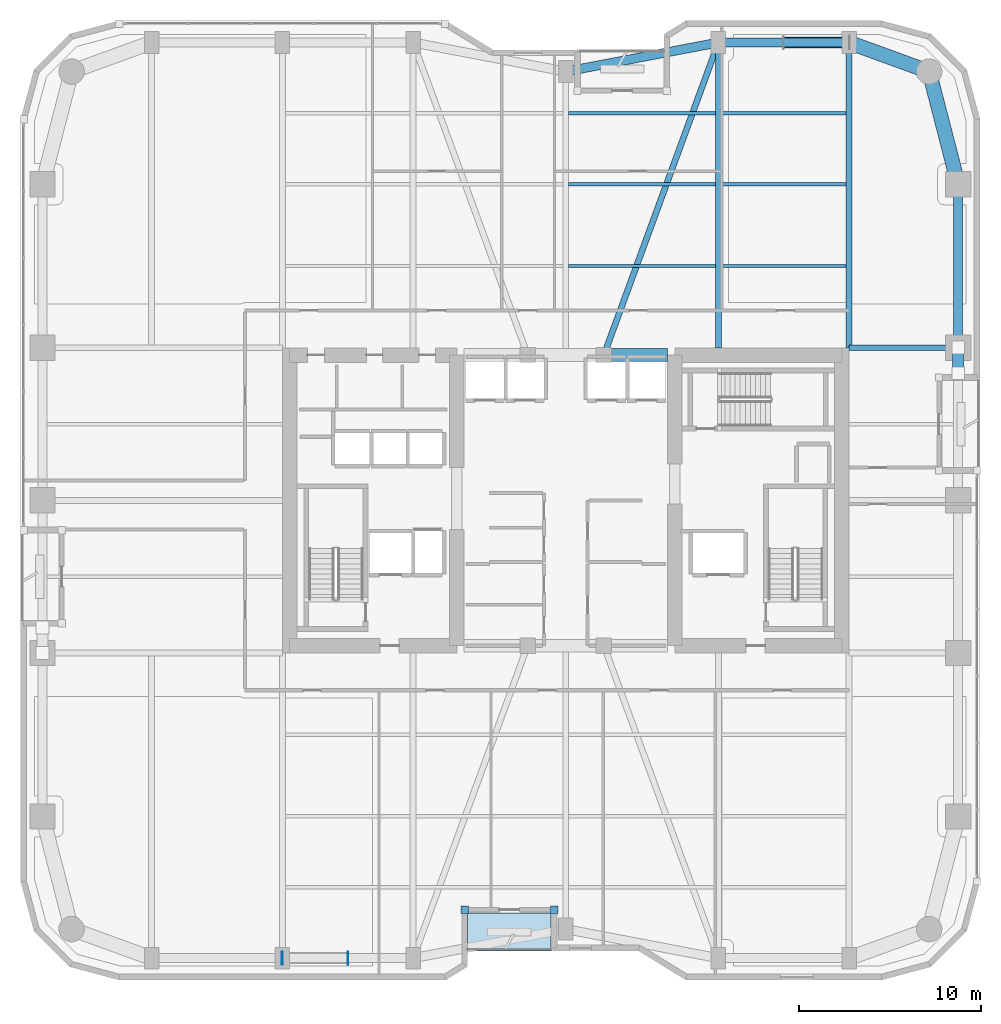
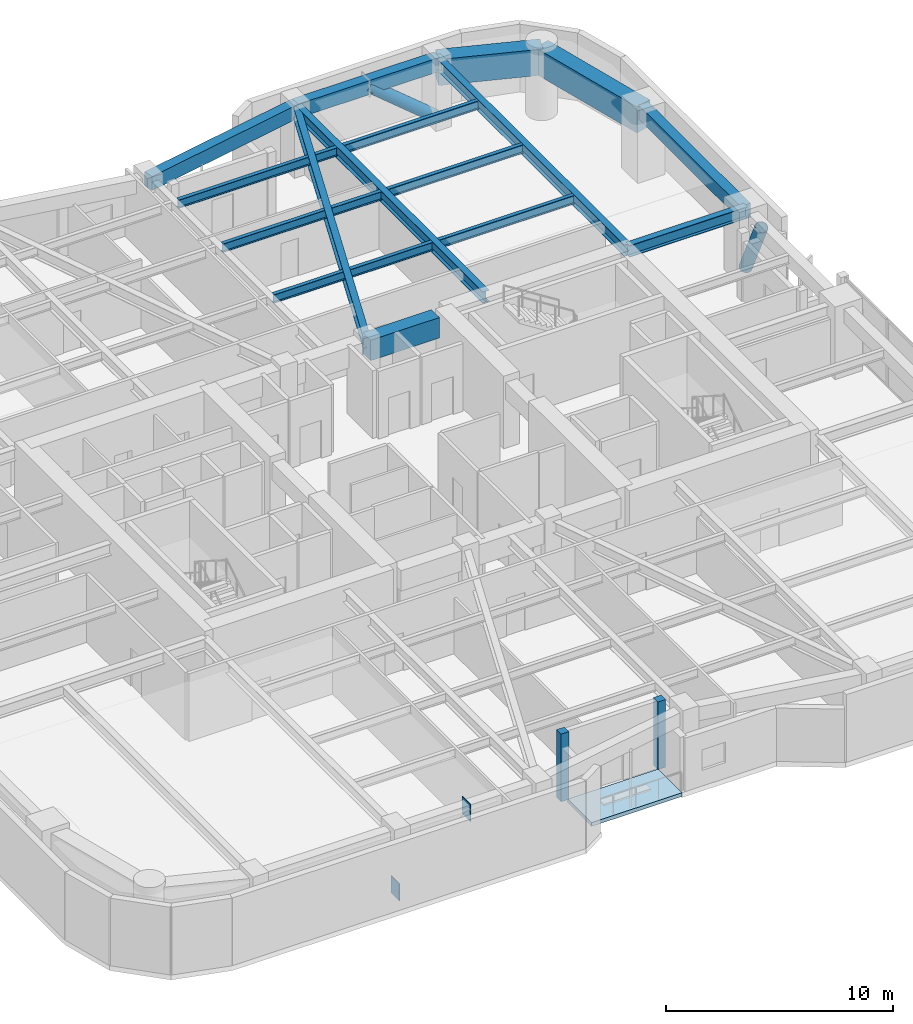
# One storey, part 15 of 24: 16 beams, 4 plates, 2 members, 1 slab.
"""IFC4 building model written with IfcOpenShell, lengths in metres."""

from ifc_helpers import new_model, si_unit, direction, frame, origin, origin_2d, place, context, subcontext, project, spatial, polyline, rectangle, hollow_circle, i_section, outline, extrude, material, layer, layer_set, material_profile, profile_set, type_object, element, save


model = new_model("IFC4")

# Units and contexts
model_context = context("Model", 3, precision=1e-05, world=origin(), true_north=direction((0.0, 1.0)))
body_context = subcontext(model_context, "Body", "Model", "MODEL_VIEW")
ifc_project = project(units=[si_unit("LENGTHUNIT", "METRE"), si_unit("AREAUNIT", "SQUARE_METRE"), si_unit("VOLUMEUNIT", "CUBIC_METRE"), si_unit("PLANEANGLEUNIT", "RADIAN"), si_unit("MASSUNIT", "GRAM", prefix="KILO")], contexts=[model_context])

# Site, building, storey
site_placement = place(None, origin())
site = spatial("IfcSite", under=ifc_project, at=site_placement, CompositionType="ELEMENT")
building_placement = place(site_placement, origin())
building = spatial("IfcBuilding", under=site, at=building_placement, Name="Kiyonajd Concourse Tower", CompositionType="ELEMENT")
storey_placement = place(building_placement, frame((0.0, 0.0, 137.699951171875)))
storey = spatial("IfcBuildingStorey", under=building, at=storey_placement, Name="L35", CompositionType="ELEMENT", Elevation=137.699951171875)

# Beams
ifc_material_1 = material(Name="Concrete C70/85", Category="concrete")
ifc_material_profile_1 = material_profile(ifc_material_1, rectangle(XDim=0.699951171875, YDim=1.10009765625, at=origin_2d()), Name="RCBM-700x1100")
ifc_profile_set_1 = profile_set([ifc_material_profile_1], Name="Concrete C70/85")
beam_type_1 = type_object("IfcBeamType", Name="BM-COUP-1100", PredefinedType="LINTEL", material=ifc_profile_set_1)
beam_1_placement = place(storey_placement, frame((50.10009765625, 44.0, 3.090087890625), z_axis=(1.0, 0.0, 0.0), x_axis=(0.0, 1.0, 0.0)))
element("IfcBeam", 1, at=beam_1_placement, inside=storey, type_object=beam_type_1, Name="L35 Core Coupling Beam N3", PredefinedType="LINTEL", context=body_context, shape_type="SweptSolid", body=[
    extrude(rectangle(XDim=0.699951171875, YDim=1.10009765625, at=origin_2d()), origin(), (0.0, 0.0, 1.0), 3.5),
])
ifc_material_2 = material(Name="Steel ASTM A992 Grade 50", Category="steel")
ifc_material_profile_2 = material_profile(ifc_material_2, i_section(OverallWidth=0.19189453125, OverallDepth=0.462890625, WebThickness=0.010498046875, FlangeThickness=0.017578125, at=origin_2d()), Name="W460X89")
ifc_profile_set_2 = profile_set([ifc_material_profile_2], Name="Steel ASTM A992 Grade 50")
beam_type_2 = type_object("IfcBeamType", Name="BM-JST-460B", PredefinedType="JOIST", material=ifc_profile_set_2)
beam_2_placement = place(storey_placement, frame((48.16357421875, 48.89990234375, 3.408447265625), z_axis=(1.0, 0.0, 0.0), x_axis=(0.0, 1.0, 0.0)))
element("IfcBeam", 2, at=beam_2_placement, inside=storey, type_object=beam_type_2, Name="L35 Secondary Floor Joist", PredefinedType="JOIST", context=body_context, shape_type="SweptSolid", body=[
    extrude(i_section(OverallWidth=0.19189453125, OverallDepth=0.462890625, WebThickness=0.010498046875, FlangeThickness=0.017578125, at=origin_2d()), origin(), (0.0, 0.0, 1.0), 8.072998046875),
])
beam_3_placement = place(storey_placement, frame((56.5634765625, 48.89990234375, 3.408447265625), z_axis=(1.0, 0.0, 0.0), x_axis=(0.0, 1.0, 0.0)))
element("IfcBeam", 3, at=beam_3_placement, inside=storey, type_object=beam_type_2, Name="L35 Secondary Floor Joist", PredefinedType="JOIST", context=body_context, shape_type="SweptSolid", body=[
    extrude(i_section(OverallWidth=0.19189453125, OverallDepth=0.462890625, WebThickness=0.010498046875, FlangeThickness=0.017578125, at=origin_2d()), origin(), (0.0, 0.0, 1.0), 6.873046875),
])
beam_4_placement = place(storey_placement, frame((48.16357421875, 53.39990234375, 3.408447265625), z_axis=(1.0, 0.0, 0.0), x_axis=(0.0, 1.0, 0.0)))
element("IfcBeam", 4, at=beam_4_placement, inside=storey, type_object=beam_type_2, Name="L35 Secondary Floor Joist", PredefinedType="JOIST", context=body_context, shape_type="SweptSolid", body=[
    extrude(i_section(OverallWidth=0.19189453125, OverallDepth=0.462890625, WebThickness=0.010498046875, FlangeThickness=0.017578125, at=origin_2d()), origin(), (0.0, 0.0, 1.0), 8.072998046875),
])
beam_5_placement = place(storey_placement, frame((56.5634765625, 53.39990234375, 3.408447265625), z_axis=(1.0, 0.0, 0.0), x_axis=(0.0, 1.0, 0.0)))
element("IfcBeam", 5, at=beam_5_placement, inside=storey, type_object=beam_type_2, Name="L35 Secondary Floor Joist", PredefinedType="JOIST", context=body_context, shape_type="SweptSolid", body=[
    extrude(i_section(OverallWidth=0.19189453125, OverallDepth=0.462890625, WebThickness=0.010498046875, FlangeThickness=0.017578125, at=origin_2d()), origin(), (0.0, 0.0, 1.0), 6.873046875),
])
beam_6_placement = place(storey_placement, frame((48.16357421875, 57.300048828125, 3.408447265625), z_axis=(1.0, 0.0, 0.0), x_axis=(0.0, 1.0, 0.0)))
element("IfcBeam", 6, at=beam_6_placement, inside=storey, type_object=beam_type_2, Name="L35 Secondary Floor Joist", PredefinedType="JOIST", context=body_context, shape_type="SweptSolid", body=[
    extrude(i_section(OverallWidth=0.19189453125, OverallDepth=0.462890625, WebThickness=0.010498046875, FlangeThickness=0.017578125, at=origin_2d()), origin(), (0.0, 0.0, 1.0), 8.072998046875),
])
beam_7_placement = place(storey_placement, frame((56.5634765625, 57.300048828125, 3.408447265625), z_axis=(1.0, 0.0, 0.0), x_axis=(0.0, 1.0, 0.0)))
element("IfcBeam", 7, at=beam_7_placement, inside=storey, type_object=beam_type_2, Name="L35 Secondary Floor Joist", PredefinedType="JOIST", context=body_context, shape_type="SweptSolid", body=[
    extrude(i_section(OverallWidth=0.19189453125, OverallDepth=0.462890625, WebThickness=0.010498046875, FlangeThickness=0.017578125, at=origin_2d()), origin(), (0.0, 0.0, 1.0), 6.873046875),
])
ifc_material_3 = material(Name="Precast concrete C50/60", Category="concrete")
ifc_material_profile_3 = material_profile(ifc_material_3, rectangle(XDim=0.5, YDim=0.75, at=origin_2d()), Name="RCBM-500x750")
ifc_profile_set_3 = profile_set([ifc_material_profile_3], Name="Precast concrete C50/60")
beam_type_3 = type_object("IfcBeamType", Name="BM-SPAN-RC", PredefinedType="SPANDREL", material=ifc_profile_set_3)
beam_8_placement = place(storey_placement, frame((69.60009765625, 44.39990234375, 3.26513671875), z_axis=(0.0, 1.0, 0.0), x_axis=(-1.0, 0.0, 0.0)))
element("IfcBeam", 8, at=beam_8_placement, inside=storey, type_object=beam_type_3, Name="L35 Perimeter Bundled Tube Spandrel", PredefinedType="SPANDREL", context=body_context, shape_type="SweptSolid", body=[
    extrude(rectangle(XDim=0.5, YDim=0.75, at=origin_2d()), origin(), (0.0, 0.0, 1.0), 9.0),
])
beam_9_placement = place(storey_placement, frame((63.60009765625, 61.199951171875, 3.26513671875), z_axis=(-1.0, 0.0, 0.0), x_axis=(0.0, -1.0, 0.0)))
element("IfcBeam", 9, at=beam_9_placement, inside=storey, type_object=beam_type_3, Name="L35 Perimeter Bundled Tube Spandrel", PredefinedType="SPANDREL", context=body_context, shape_type="SweptSolid", body=[
    extrude(rectangle(XDim=0.5, YDim=0.75, at=origin_2d()), origin(), (0.0, 0.0, 1.0), 7.2001953125),
])
beam_10_placement = place(storey_placement, frame((56.39990234375, 61.199951171875, 3.26513671875), z_axis=(-0.982341315253, -0.187097675953, 0.0), x_axis=(0.187097675953, -0.982341315253, 0.0)))
element("IfcBeam", 10, at=beam_10_placement, inside=storey, type_object=beam_type_3, Name="L35 Perimeter Bundled Tube Spandrel", PredefinedType="SPANDREL", context=body_context, shape_type="SweptSolid", body=[
    extrude(rectangle(XDim=0.5, YDim=0.75, at=origin_2d()), origin(), (0.0, 0.0, 1.0), 8.55078125),
])
ifc_material_profile_4 = material_profile(ifc_material_2, i_section(OverallWidth=0.326904296875, OverallDepth=0.6220703125, WebThickness=0.015380859375, FlangeThickness=0.0244140625, at=origin_2d()), Name="W610X195")
ifc_profile_set_4 = profile_set([ifc_material_profile_4], Name="Steel ASTM A992 Grade 50")
beam_type_4 = type_object("IfcBeamType", Name="BM-TWR-610A", PredefinedType="BEAM", material=ifc_profile_set_4)
beam_11_placement = place(storey_placement, frame((50.10009765625, 44.0, 3.3291015625), z_axis=(0.343925269715, 0.938997022813, 0.0), x_axis=(-0.938997022813, 0.343925269715, 0.0)))
element("IfcBeam", 11, at=beam_11_placement, inside=storey, type_object=beam_type_4, Name="L35 Core Tie Girder", PredefinedType="BEAM", context=body_context, shape_type="SweptSolid", body=[
    extrude(i_section(OverallWidth=0.326904296875, OverallDepth=0.6220703125, WebThickness=0.015380859375, FlangeThickness=0.0244140625, at=origin_2d()), origin(), (0.0, 0.0, 1.0), 18.3173828125),
])
for number, where, z_axis, x_axis, name in (
    (12, (56.39990234375, 44.39990234375, 3.3291015625), (0.0, 1.0, 0.0), (-1.0, 0.0, 0.0), "L35 North Lease Girder"),
    (13, (63.60009765625, 44.39990234375, 3.3291015625), (0.0, 1.0, 0.0), (-1.0, 0.0, 0.0), "L35 North Lease Girder"),
):
    element("IfcBeam", number, at=place(storey_placement, frame(where, z_axis=z_axis, x_axis=x_axis)), inside=storey, type_object=beam_type_4, Name=name, PredefinedType="BEAM", context=body_context, shape_type="SweptSolid", body=[
        extrude(i_section(OverallWidth=0.326904296875, OverallDepth=0.6220703125, WebThickness=0.015380859375, FlangeThickness=0.0244140625, at=origin_2d()), origin(), (0.0, 0.0, 1.0), 16.800048828125),
    ])
beam_12_placement = place(storey_placement, frame((63.60009765625, 44.39990234375, 3.3291015625), z_axis=(1.0, 0.0, 0.0), x_axis=(0.0, 1.0, 0.0)))
element("IfcBeam", 14, at=beam_12_placement, inside=storey, type_object=beam_type_4, Name="L35 East Lease Girder", PredefinedType="BEAM", context=body_context, shape_type="SweptSolid", body=[
    extrude(i_section(OverallWidth=0.326904296875, OverallDepth=0.6220703125, WebThickness=0.015380859375, FlangeThickness=0.0244140625, at=origin_2d()), origin(), (0.0, 0.0, 1.0), 6.0),
])
ifc_material_4 = material(Name="Concrete C60/75", Category="concrete")
ifc_material_profile_5 = material_profile(ifc_material_4, rectangle(XDim=0.800048828125, YDim=1.39990234375, at=origin_2d()), Name="RCBM-800x1400")
ifc_profile_set_5 = profile_set([ifc_material_profile_5], Name="Concrete C60/75")
beam_type_5 = type_object("IfcBeamType", Name="BM-XFER-RC", PredefinedType="BEAM", material=ifc_profile_set_5)
beam_13_placement = place(storey_placement, frame((69.60009765625, 53.39990234375, 2.93994140625), z_axis=(-0.249884937687, 0.968275538221, 0.0), x_axis=(-0.968275538221, -0.249884937687, 0.0)))
element("IfcBeam", 15, at=beam_13_placement, inside=storey, type_object=beam_type_5, Name="L35 Perimeter Bundled Tube Spandrel", PredefinedType="BEAM", context=body_context, shape_type="SweptSolid", body=[
    extrude(rectangle(XDim=0.800048828125, YDim=1.39990234375, at=origin_2d()), origin(), (0.0, 0.0, 1.0), 6.4033203125),
])
beam_14_placement = place(storey_placement, frame((68.0, 59.60009765625, 2.93994140625), z_axis=(-0.939801036019, 0.341722127901, 0.0), x_axis=(-0.341722127901, -0.939801036019, 0.0)))
element("IfcBeam", 16, at=beam_14_placement, inside=storey, type_object=beam_type_5, Name="L35 Perimeter Bundled Tube Spandrel", PredefinedType="BEAM", context=body_context, shape_type="SweptSolid", body=[
    extrude(rectangle(XDim=0.800048828125, YDim=1.39990234375, at=origin_2d()), origin(), (0.0, 0.0, 1.0), 4.681640625),
])

# Members
ifc_material_5 = material(Name="Steel ASTM A572 Grade 50", Category="steel")
ifc_material_profile_6 = material_profile(ifc_material_5, hollow_circle(Radius=0.304931640625, WallThickness=0.02490234375, at=origin_2d()), Name="CHS-610x25")
ifc_profile_set_6 = profile_set([ifc_material_profile_6], Name="Steel ASTM A572 Grade 50")
member_type = type_object("IfcMemberType", Name="MB-PB-LOW", PredefinedType="BRACE", material=ifc_profile_set_6)
member_1_placement = place(storey_placement, frame((63.60009765625, 61.199951171875, 0.300048828125), z_axis=(-0.769280705518, 0.0, 0.638910945373), x_axis=(0.0, -1.0, 0.0)))
element("IfcMember", 17, at=member_1_placement, inside=storey, type_object=member_type, Name="L35 Lower Zone Welded Tube Brace PBN", PredefinedType="BRACE", context=body_context, shape_type="SweptSolid", body=[
    extrude(hollow_circle(Radius=0.304931640625, WallThickness=0.02490234375, at=origin_2d()), origin(), (0.0, 0.0, 1.0), 4.679931640625),
])
member_2_placement = place(storey_placement, frame((69.60009765625, 44.39990234375, 0.300048828125), z_axis=(0.0, -0.424022702926, 0.905651559598), x_axis=(1.0, 0.0, 0.0)))
element("IfcMember", 18, at=member_2_placement, inside=storey, type_object=member_type, Name="L35 Lower Zone Welded Tube Brace PBE", PredefinedType="BRACE", context=body_context, shape_type="SweptSolid", body=[
    extrude(hollow_circle(Radius=0.304931640625, WallThickness=0.02490234375, at=origin_2d()), origin(), (0.0, 0.0, 1.0), 3.301513671875),
])

# Plates
ifc_layer_1 = layer(ifc_material_5, 0.028076171875)
ifc_layer_set_1 = layer_set([ifc_layer_1], Name="Steel ASTM A572 Grade 50")
plate_type_1 = type_object("IfcPlateType", Name="PL-CAP-450", PredefinedType="USERDEFINED", material=ifc_layer_set_1)
for number, where, z_axis, x_axis, name in (
    (19, (32.3916015625, 10.800048828125, -0.173583984375), (0.0, 0.0, 1.0), (-1.0, 0.0, 0.0), "L35 Hollow Brace End Cap Plate PBS"),
    (20, (36.008544921875, 10.800048828125, 2.83056640625), (0.0, 0.0, 1.0), (1.0, 0.0, 0.0), "L35 Hollow Brace Top Cap Plate PBS"),
):
    element("IfcPlate", number, at=place(storey_placement, frame(where, z_axis=z_axis, x_axis=x_axis)), inside=storey, type_object=plate_type_1, Name=name, ObjectType="CAP PLATE", PredefinedType="USERDEFINED", context=body_context, shape_type="SweptSolid", body=[
        extrude(rectangle(XDim=0.035888671875, YDim=0.72998046875, at=origin_2d()), origin(), (0.0, 0.0, 1.0), 0.93310546875),
    ])
ifc_material_6 = material(Name="Thermally Broken Anodised Aluminium", Category="aluminium")
ifc_layer_2 = layer(ifc_material_6, 0.39990234375)
ifc_layer_set_2 = layer_set([ifc_layer_2], Name="Thermally Broken Anodised Aluminium")
plate_type_2 = type_object("IfcPlateType", Name="PL-JMB-400", PredefinedType="USERDEFINED", material=ifc_layer_set_2)
for number, where, z_axis, x_axis, name in (
    (21, (47.360107421875, 13.4599609375, 0.0), (0.0, 0.0, 1.0), (1.0, 0.0, 0.0), "L35 Facade Jamb Closure Plate 13"),
    (22, (42.43994140625, 13.4599609375, 0.0), (0.0, 0.0, 1.0), (1.0, 0.0, 0.0), "L35 Facade Jamb Closure Plate 14"),
):
    element("IfcPlate", number, at=place(storey_placement, frame(where, z_axis=z_axis, x_axis=x_axis)), inside=storey, type_object=plate_type_2, Name=name, ObjectType="JAMB PLATE", PredefinedType="USERDEFINED", context=body_context, shape_type="SweptSolid", body=[
        extrude(rectangle(XDim=0.39990234375, YDim=0.39990234375, at=origin_2d()), origin(), (0.0, 0.0, 1.0), 3.639892578125),
    ])

# Slab
ifc_layer_3 = layer(ifc_material_3, 0.199951171875)
ifc_layer_set_3 = layer_set([ifc_layer_3], Name="Precast concrete C50/60")
slab_type = type_object("IfcSlabType", Name="SL-LOG-200", PredefinedType="FLOOR", material=ifc_layer_set_3)
slab_placement = place(storey_placement, frame((0.0, 0.0, -0.199951171875)))
element("IfcSlab", 23, at=slab_placement, inside=storey, type_object=slab_type, Name="L35 Recessed Engawa Loggia Terrace Slab LOG-S", PredefinedType="FLOOR", context=body_context, shape_type="SweptSolid", body=[
    extrude(outline(polyline([(42.60009765625, 11.199951171875), (47.199951171875, 11.199951171875), (47.199951171875, 13.300048828125), (42.60009765625, 13.300048828125), (42.60009765625, 11.199951171875)])), origin(), (0.0, 0.0, 1.0), 0.199951171875),
])

save(model, "model.ifc")
